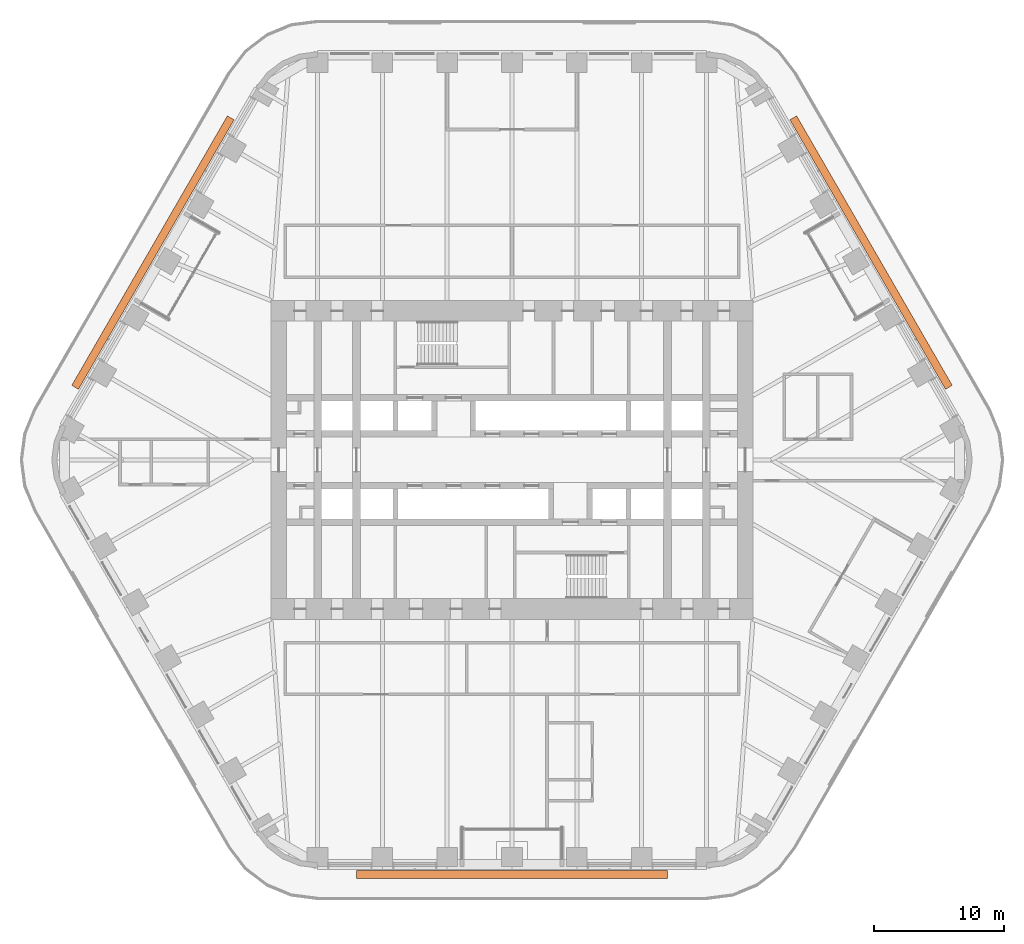
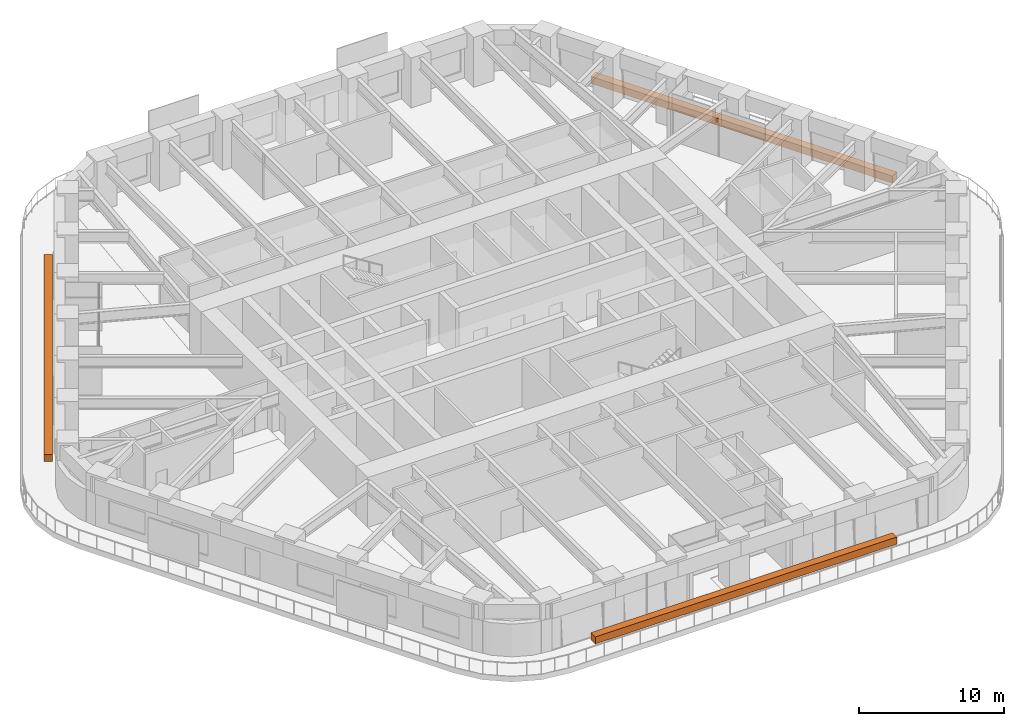
# One storey, part 24 of 24: 3 proxies.
"""IFC4 building model written with IfcOpenShell, lengths in metres."""

from ifc_helpers import new_model, si_unit, direction, frame, origin, origin_2d, place, context, subcontext, project, spatial, rectangle, extrude, material, element, save


model = new_model("IFC4")

# Units and contexts
model_context = context("Model", 3, precision=1e-05, world=origin(), true_north=direction((0.0, 1.0)))
body_context = subcontext(model_context, "Body", "Model", "MODEL_VIEW")
ifc_project = project(units=[si_unit("LENGTHUNIT", "METRE"), si_unit("AREAUNIT", "SQUARE_METRE"), si_unit("VOLUMEUNIT", "CUBIC_METRE"), si_unit("PLANEANGLEUNIT", "RADIAN"), si_unit("MASSUNIT", "GRAM", prefix="KILO")], contexts=[model_context])

# Site, building, storey
site_placement = place(None, origin())
site = spatial("IfcSite", under=ifc_project, at=site_placement, CompositionType="ELEMENT")
building_placement = place(site_placement, origin())
building = spatial("IfcBuilding", under=site, at=building_placement, Name="Tarfa Lantern Tower", CompositionType="ELEMENT")
storey_placement = place(building_placement, frame((0.0, 0.0, 148.89990234375)))
storey = spatial("IfcBuildingStorey", under=building, at=storey_placement, Name="L33", CompositionType="ELEMENT", Elevation=148.89990234375)

# Proxies
ifc_material = material(Name="Planting bed")
for number, where, z_axis, x_axis, name in (
    (1, (27.712890625, 16.0, 0.0), (0.0, 0.0, 1.0), (-0.5, 0.866025403784, 0.0), "Balcony planter"),
    (2, (-27.712890625, 16.0, 0.0), (0.0, 0.0, 1.0), (-0.5, -0.866025403784, 0.0), "Balcony planter"),
    (3, (0.0, -32.0, 0.0), (0.0, 0.0, 1.0), (1.0, 0.0, 0.0), "Balcony planter"),
):
    element("IfcBuildingElementProxy", number, at=place(storey_placement, frame(where, z_axis=z_axis, x_axis=x_axis)), inside=storey, material=ifc_material, Name=name, ObjectType="PLANTER", PredefinedType="USERDEFINED", context=body_context, shape_type="SweptSolid", body=[
        extrude(rectangle(XDim=24.017822265625, YDim=0.60009765625, at=origin_2d()), origin(), (0.0, 0.0, 1.0), 0.60009765625),
    ])

save(model, "model.ifc")
